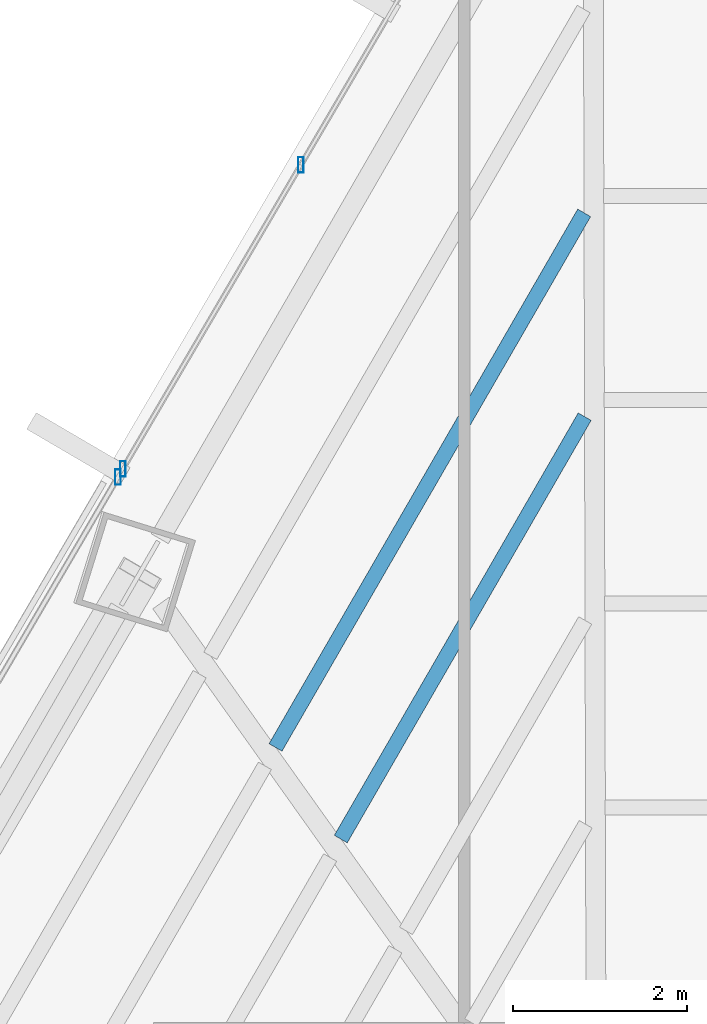
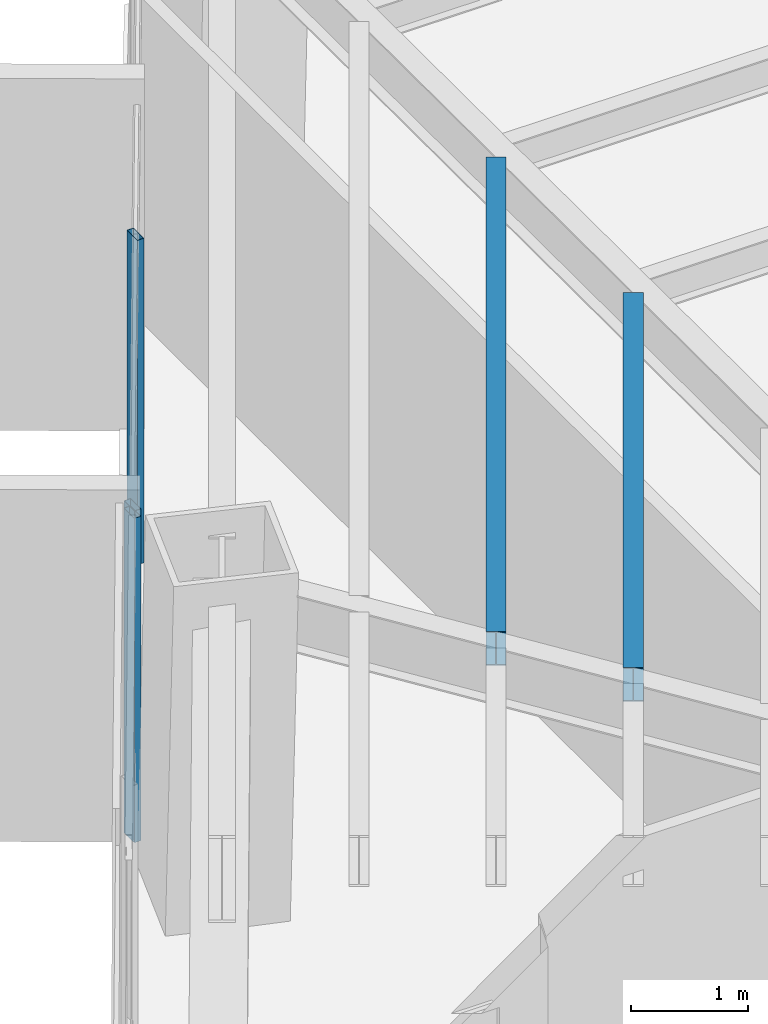
# One storey, part 24 of 35: 3 members, 2 beams, 2 elements without a shape of their own.
"""IFC4 building model written with IfcOpenShell, lengths in metres."""

from ifc_helpers import new_model, si_unit, direction, frame, origin, origin_2d, place, context, subcontext, project, spatial, hollow_rectangle, i_section, extrude, source, transform, mapped, material, material_profile, profile_set, type_object, type_shapes, element, aggregate, save


model = new_model("IFC4")

# Units and contexts
model_context = context("Model", 3, precision=1e-05, world=origin(), true_north=direction((0.0, 1.0)))
body_context = subcontext(model_context, "Body", "Model", "MODEL_VIEW")
ifc_project = project(units=[si_unit("LENGTHUNIT", "METRE"), si_unit("AREAUNIT", "SQUARE_METRE"), si_unit("VOLUMEUNIT", "CUBIC_METRE"), si_unit("PLANEANGLEUNIT", "RADIAN"), si_unit("MASSUNIT", "GRAM", prefix="KILO")], contexts=[model_context])

# Site, building, storey
site_placement = place(None, origin())
site = spatial("IfcSite", under=ifc_project, at=site_placement, CompositionType="ELEMENT")
building_placement = place(site_placement, origin())
building = spatial("IfcBuilding", under=site, at=building_placement, Name="Caelisora Broadcast Tower", CompositionType="ELEMENT")
storey_placement = place(building_placement, frame((0.0, 0.0, 98.10009765625)))
storey = spatial("IfcBuildingStorey", under=building, at=storey_placement, Name="L25", CompositionType="ELEMENT", Elevation=98.10009765625)

# Beams
ifc_material_1 = material(Name="Steel Grade 350 (AS/NZS 3679.1)", Category="steel")
ifc_material_profile_1 = material_profile(ifc_material_1, i_section(OverallWidth=0.172119140625, OverallDepth=0.358642578125, WebThickness=0.008056640625, FlangeThickness=0.012939453125, at=origin_2d()), Name="Steel Grade 350 (AS/NZS 3679.1)")
ifc_profile_set_1 = profile_set([ifc_material_profile_1], Name="Steel Grade 350 (AS/NZS 3679.1)")
beam_type = type_object("IfcBeamType", Name="SB02", PredefinedType="JOIST", material=ifc_profile_set_1)
shared_shape_1 = source(origin(), body_context, "Body", "SweptSolid", [
    extrude(i_section(OverallWidth=0.172119140625, OverallDepth=0.358642578125, WebThickness=0.008056640625, FlangeThickness=0.012939453125, at=origin_2d()), origin(), (0.0, 0.0, 1.0), 5.6083984375),
])
beam_1_placement = place(storey_placement, frame((30.364990234375, 39.178955078125, 3.220703125), z_axis=(-0.500006325531, -0.866021751707, 0.0), x_axis=(0.866021751707, -0.500006325531, 0.0)))
element("IfcBeam", 1, at=beam_1_placement, inside=storey, type_object=beam_type, Name="L25 beam SB02", PredefinedType="JOIST", context=body_context, shape_type="MappedRepresentation", body=[
    mapped(shared_shape_1, transform((0.0, 0.0, 0.0), scale=1.0)),
])
shared_shape_2 = source(origin(), body_context, "Body", "SweptSolid", [
    extrude(i_section(OverallWidth=0.172119140625, OverallDepth=0.358642578125, WebThickness=0.008056640625, FlangeThickness=0.012939453125, at=origin_2d()), origin(), (0.0, 0.0, 1.0), 7.097412109375),
])
type_shapes(beam_type, [shared_shape_1, shared_shape_2])
beam_2_placement = place(storey_placement, frame((30.359375, 41.522216796875, 3.220703125), z_axis=(-0.499990444499, -0.866030920585, 0.0), x_axis=(0.866030920585, -0.499990444499, 0.0)))
element("IfcBeam", 2, at=beam_2_placement, inside=storey, type_object=beam_type, Name="L25 beam SB02", PredefinedType="JOIST", context=body_context, shape_type="MappedRepresentation", body=[
    mapped(shared_shape_2, transform((0.0, 0.0, 0.0), scale=1.0)),
])

# Curtain wall, member
ifc_material_2 = material(Name="Unitised Aluminium Insulated Shadow-Box Spandrel Curtain Wall", Category="aluminium")
curtain_wall_type_1 = type_object("IfcCurtainWallType", Name="CW-SP1", PredefinedType="NOTDEFINED", material=ifc_material_2)
curtain_wall_1_placement = place(storey_placement, origin())
curtain_wall_1 = element("IfcCurtainWall", 3, at=curtain_wall_1_placement, inside=storey, type_object=curtain_wall_type_1, Name="L25 curtain wall CW-SP1", PredefinedType="NOTDEFINED")
ifc_material_3 = material(Name="Aluminium 6063-T6 Anodised Terracotta Bronze", Category="aluminium")
ifc_material_profile_2 = material_profile(ifc_material_3, hollow_rectangle(XDim=0.06494140625, YDim=0.179931640625, WallThickness=0.00341796875, at=origin_2d()), Name="Aluminium 6063-T6 Anodised Terracotta Bronze")
ifc_profile_set_2 = profile_set([ifc_material_profile_2], Name="Aluminium 6063-T6 Anodised Terracotta Bronze")
member_type = type_object("IfcMemberType", Name="CWM-02", PredefinedType="MULLION", material=ifc_profile_set_2)
shared_shape_3 = source(origin(), body_context, "Body", "SweptSolid", [
    extrude(hollow_rectangle(XDim=0.06494140625, YDim=0.179931640625, WallThickness=0.00341796875, at=origin_2d()), origin(), (0.0, 0.0, 1.0), 3.39990234375),
])
type_shapes(member_type, [shared_shape_3])
member_1_placement = place(storey_placement, frame((24.999755859375, 38.48388671875, 0.0), z_axis=(0.0, 0.0, 1.0), x_axis=(1.0, 0.0, 0.0)))
member_1 = element("IfcMember", 4, at=member_1_placement, type_object=member_type, Name="L25-CW-B10 mullion #3", PredefinedType="MULLION", context=body_context, shape_type="MappedRepresentation", body=[
    mapped(shared_shape_3, transform((0.0, 0.0, 0.0), scale=1.0)),
])
aggregate(curtain_wall_1, [member_1])

# Curtain wall, members
ifc_material_4 = material(Name="Unitised Aluminium and Low-E Glass Curtain Wall", Category="glass")
curtain_wall_type_2 = type_object("IfcCurtainWallType", Name="CW-Z2", PredefinedType="NOTDEFINED", material=ifc_material_4)
curtain_wall_2_placement = place(storey_placement, origin())
curtain_wall_2 = element("IfcCurtainWall", 5, at=curtain_wall_2_placement, inside=storey, type_object=curtain_wall_type_2, Name="L25 curtain wall CW-Z2", PredefinedType="NOTDEFINED")
member_2_placement = place(storey_placement, frame((25.055419921875, 38.578857421875, 0.0), z_axis=(0.0, 0.0, 1.0), x_axis=(1.0, 0.0, 0.0)))
member_2 = element("IfcMember", 6, at=member_2_placement, type_object=member_type, Name="L25-CW-B11 mullion #0", PredefinedType="MULLION", context=body_context, shape_type="MappedRepresentation", body=[
    mapped(shared_shape_3, transform((0.0, 0.0, 0.0), scale=1.0)),
])
member_3_placement = place(storey_placement, frame((27.10205078125, 42.07275390625, 0.0), z_axis=(0.0, 0.0, 1.0), x_axis=(1.0, 0.0, 0.0)))
member_3 = element("IfcMember", 7, at=member_3_placement, type_object=member_type, Name="L25-CW-B11 mullion #1", PredefinedType="MULLION", context=body_context, shape_type="MappedRepresentation", body=[
    mapped(shared_shape_3, transform((0.0, 0.0, 0.0), scale=1.0)),
])
aggregate(curtain_wall_2, [member_2, member_3])

save(model, "model.ifc")
